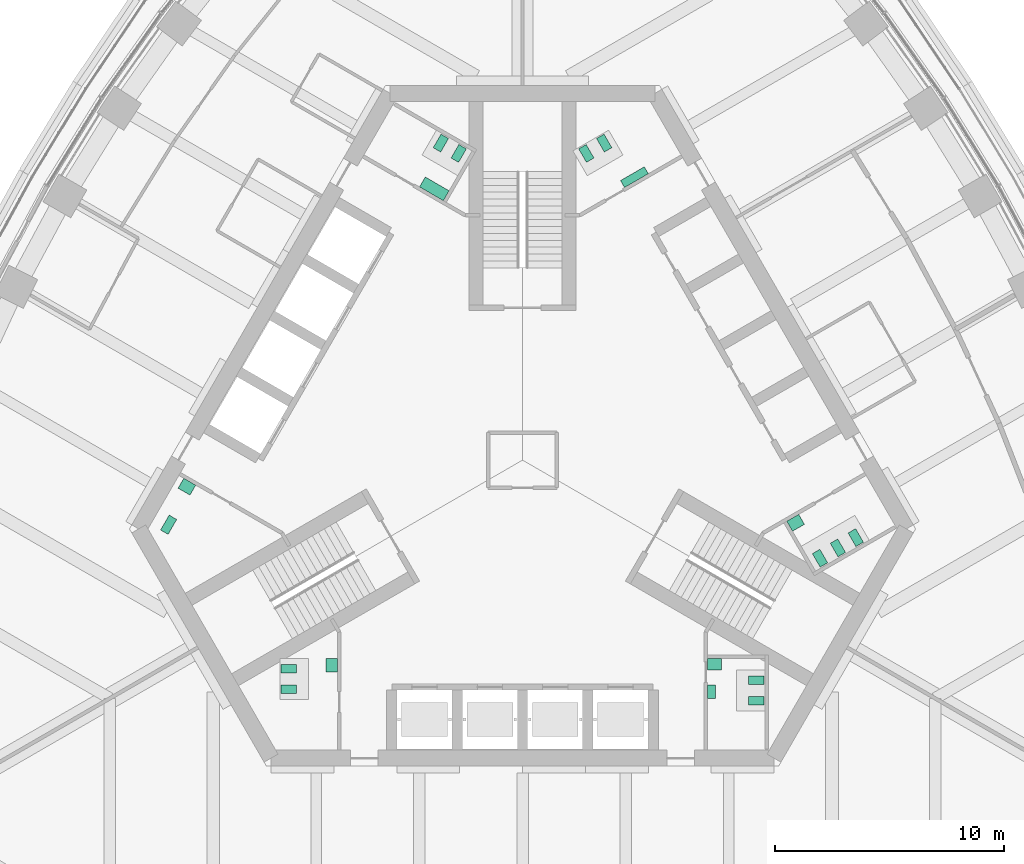
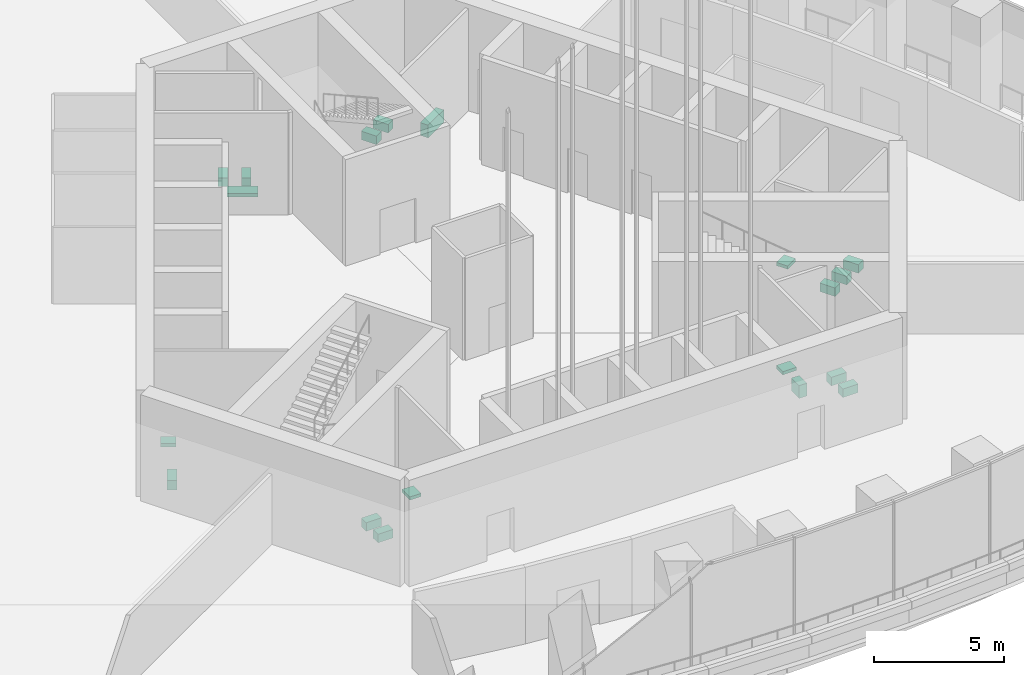
# One storey, part 17 of 26: 19 sanitary terminals.
"""IFC4 building model written with IfcOpenShell, lengths in metres."""

from ifc_helpers import new_model, si_unit, direction, frame, origin, place, context, subcontext, project, spatial, polyline, outline, extrude, material, type_object, element, save


model = new_model("IFC4")

# Units and contexts
model_context = context("Model", 3, precision=1e-05, world=origin(), true_north=direction((0.0, 1.0)))
body_context = subcontext(model_context, "Body", "Model", "MODEL_VIEW")
ifc_project = project(units=[si_unit("LENGTHUNIT", "METRE"), si_unit("AREAUNIT", "SQUARE_METRE"), si_unit("VOLUMEUNIT", "CUBIC_METRE"), si_unit("PLANEANGLEUNIT", "RADIAN"), si_unit("MASSUNIT", "GRAM", prefix="KILO")], contexts=[model_context])

# Site, building, storey
site_placement = place(None, origin())
site = spatial("IfcSite", under=ifc_project, at=site_placement, CompositionType="ELEMENT")
building_placement = place(site_placement, origin())
building = spatial("IfcBuilding", under=site, at=building_placement, Name="Trefoil Bronze Tower", CompositionType="ELEMENT")
storey_placement = place(building_placement, frame((0.0, 0.0, 271.300048828125)))
storey = spatial("IfcBuildingStorey", under=building, at=storey_placement, Name="L62", CompositionType="ELEMENT", Elevation=271.300048828125)

# Sanitary terminals
ifc_material_1 = material(Name="Vitreous china", Category="ceramic")
sanitary_terminal_type_1 = type_object("IfcSanitaryTerminalType", Name="Accessible WC pan", PredefinedType="TOILETPAN", material=ifc_material_1)
sanitary_terminal_1_placement = place(storey_placement, origin())
element("IfcSanitaryTerminal", 1, at=sanitary_terminal_1_placement, inside=storey, type_object=sanitary_terminal_type_1, Name="WC pan 1 Accessible WC L62", PredefinedType="TOILETPAN", context=body_context, shape_type="SweptSolid", body=[
    extrude(outline(polyline([(-15.085693359375, -2.589111328125), (-15.460693359375, -3.238525390625), (-15.789794921875, -3.048583984375), (-15.414794921875, -2.399169921875), (-15.085693359375, -2.589111328125)])), origin(), (0.0, 0.0, 1.0), 0.449951171875),
])
ifc_material_2 = material(Name="Vitreous china", Category="ceramic")
sanitary_terminal_type_2 = type_object("IfcSanitaryTerminalType", Name="Accessible basin", PredefinedType="WASHHANDBASIN", material=ifc_material_2)
sanitary_terminal_2_placement = place(storey_placement, frame((0.0, 0.0, 0.64990234375)))
element("IfcSanitaryTerminal", 2, at=sanitary_terminal_2_placement, inside=storey, type_object=sanitary_terminal_type_2, Name="Wash basin Accessible WC L62", PredefinedType="WASHHANDBASIN", context=body_context, shape_type="SweptSolid", body=[
    extrude(outline(polyline([(-14.256591796875, -1.09326171875), (-14.506591796875, -1.526123046875), (-15.026123046875, -1.22607421875), (-14.776123046875, -0.793212890625), (-14.256591796875, -1.09326171875)])), origin(), (0.0, 0.0, 1.0), 0.150146484375),
])
ifc_material_3 = material(Name="Vitreous china", Category="ceramic")
sanitary_terminal_type_3 = type_object("IfcSanitaryTerminalType", Name="Urinal range 1 urinals", PredefinedType="URINAL", material=ifc_material_3)
sanitary_terminal_3_placement = place(storey_placement, frame((0.0, 0.0, 0.39990234375)))
element("IfcSanitaryTerminal", 3, at=sanitary_terminal_3_placement, inside=storey, type_object=sanitary_terminal_type_3, Name="Urinal range WC (men) L62", PredefinedType="URINAL", context=body_context, shape_type="SweptSolid", body=[
    extrude(outline(polyline([(8.074951171875, -9.800048828125), (8.425048828125, -9.800048828125), (8.425048828125, -10.39990234375), (8.074951171875, -10.39990234375), (8.074951171875, -9.800048828125)])), origin(), (0.0, 0.0, 1.0), 0.60009765625),
])
ifc_material_4 = material(Name="Vitreous china", Category="ceramic")
sanitary_terminal_type_4 = type_object("IfcSanitaryTerminalType", Name="Urinal range 2 urinals", PredefinedType="URINAL", material=ifc_material_4)
sanitary_terminal_4_placement = place(storey_placement, frame((0.0, 0.0, 0.39990234375)))
element("IfcSanitaryTerminal", 4, at=sanitary_terminal_4_placement, inside=storey, type_object=sanitary_terminal_type_4, Name="Urinal range WC (men) L62", PredefinedType="URINAL", context=body_context, shape_type="SweptSolid", body=[
    extrude(outline(polyline([(4.449462890625, 11.89306640625), (4.274658203125, 12.1962890625), (5.313720703125, 12.796142578125), (5.48876953125, 12.4931640625), (4.449462890625, 11.89306640625)])), origin(), (0.0, 0.0, 1.0), 0.60009765625),
])
ifc_material_5 = material(Name="Solid surface vanity", Category="plastic")
sanitary_terminal_type_5 = type_object("IfcSanitaryTerminalType", Name="Vanity unit 1 basins", PredefinedType="WASHHANDBASIN", material=ifc_material_5)
sanitary_terminal_5_placement = place(storey_placement, frame((0.0, 0.0, 0.75)))
element("IfcSanitaryTerminal", 5, at=sanitary_terminal_5_placement, inside=storey, type_object=sanitary_terminal_type_5, Name="Vanity unit WC (men) L62", PredefinedType="WASHHANDBASIN", context=body_context, shape_type="SweptSolid", body=[
    extrude(outline(polyline([(8.074951171875, -8.64990234375), (8.675048828125, -8.64990234375), (8.675048828125, -9.14990234375), (8.074951171875, -9.14990234375), (8.074951171875, -8.64990234375)])), origin(), (0.0, 0.0, 1.0), 0.14990234375),
])
sanitary_terminal_6_placement = place(storey_placement, frame((0.0, 0.0, 0.75)))
element("IfcSanitaryTerminal", 6, at=sanitary_terminal_6_placement, inside=storey, type_object=sanitary_terminal_type_5, Name="Vanity unit WC (women) L62", PredefinedType="WASHHANDBASIN", context=body_context, shape_type="SweptSolid", body=[
    extrude(outline(polyline([(11.528564453125, -2.668212890625), (11.778564453125, -3.10107421875), (12.29833984375, -2.80126953125), (12.04833984375, -2.3681640625), (11.528564453125, -2.668212890625)])), origin(), (0.0, 0.0, 1.0), 0.14990234375),
])
sanitary_terminal_7_placement = place(storey_placement, frame((0.0, 0.0, 0.75)))
element("IfcSanitaryTerminal", 7, at=sanitary_terminal_7_placement, inside=storey, type_object=sanitary_terminal_type_5, Name="Vanity unit WC (women) L62", PredefinedType="WASHHANDBASIN", context=body_context, shape_type="SweptSolid", body=[
    extrude(outline(polyline([(-8.074951171875, -8.64990234375), (-8.574951171875, -8.64990234375), (-8.574951171875, -9.25), (-8.074951171875, -9.25), (-8.074951171875, -8.64990234375)])), origin(), (0.0, 0.0, 1.0), 0.14990234375),
])
ifc_material_6 = material(Name="Solid surface vanity", Category="plastic")
sanitary_terminal_type_6 = type_object("IfcSanitaryTerminalType", Name="Vanity unit 2 basins", PredefinedType="WASHHANDBASIN", material=ifc_material_6)
sanitary_terminal_8_placement = place(storey_placement, frame((0.0, 0.0, 0.75)))
element("IfcSanitaryTerminal", 8, at=sanitary_terminal_8_placement, inside=storey, type_object=sanitary_terminal_type_6, Name="Vanity unit WC (women) L62", PredefinedType="WASHHANDBASIN", context=body_context, shape_type="SweptSolid", body=[
    extrude(outline(polyline([(-3.45361328125, 11.318115234375), (-3.20361328125, 11.751220703125), (-4.242919921875, 12.35107421875), (-4.492919921875, 11.918212890625), (-3.45361328125, 11.318115234375)])), origin(), (0.0, 0.0, 1.0), 0.14990234375),
])
ifc_material_7 = material(Name="Vitreous china", Category="ceramic")
sanitary_terminal_type_7 = type_object("IfcSanitaryTerminalType", Name="WC pan", PredefinedType="TOILETPAN", material=ifc_material_7)
sanitary_terminal_9_placement = place(storey_placement, origin())
element("IfcSanitaryTerminal", 9, at=sanitary_terminal_9_placement, inside=storey, type_object=sanitary_terminal_type_7, Name="WC pan 1 WC (men) L62", PredefinedType="TOILETPAN", context=body_context, shape_type="SweptSolid", body=[
    extrude(outline(polyline([(9.85498046875, -9.409912109375), (10.534912109375, -9.409912109375), (10.534912109375, -9.7900390625), (9.85498046875, -9.7900390625), (9.85498046875, -9.409912109375)])), origin(), (0.0, 0.0, 1.0), 0.39990234375),
])
sanitary_terminal_10_placement = place(storey_placement, origin())
element("IfcSanitaryTerminal", 10, at=sanitary_terminal_10_placement, inside=storey, type_object=sanitary_terminal_type_7, Name="WC pan 2 WC (men) L62", PredefinedType="TOILETPAN", context=body_context, shape_type="SweptSolid", body=[
    extrude(outline(polyline([(9.85498046875, -10.31005859375), (10.534912109375, -10.31005859375), (10.534912109375, -10.68994140625), (9.85498046875, -10.68994140625), (9.85498046875, -10.31005859375)])), origin(), (0.0, 0.0, 1.0), 0.39990234375),
])
sanitary_terminal_11_placement = place(storey_placement, origin())
element("IfcSanitaryTerminal", 11, at=sanitary_terminal_11_placement, inside=storey, type_object=sanitary_terminal_type_7, Name="WC pan 1 WC (women) L62", PredefinedType="TOILETPAN", context=body_context, shape_type="SweptSolid", body=[
    extrude(outline(polyline([(12.643798828125, -4.07958984375), (12.98388671875, -4.66845703125), (13.31298828125, -4.478515625), (12.972900390625, -3.8896484375), (12.643798828125, -4.07958984375)])), origin(), (0.0, 0.0, 1.0), 0.39990234375),
])
sanitary_terminal_12_placement = place(storey_placement, origin())
element("IfcSanitaryTerminal", 12, at=sanitary_terminal_12_placement, inside=storey, type_object=sanitary_terminal_type_7, Name="WC pan 2 WC (women) L62", PredefinedType="TOILETPAN", context=body_context, shape_type="SweptSolid", body=[
    extrude(outline(polyline([(13.423095703125, -3.629638671875), (13.76318359375, -4.218505859375), (14.09228515625, -4.028564453125), (13.752197265625, -3.439697265625), (13.423095703125, -3.629638671875)])), origin(), (0.0, 0.0, 1.0), 0.39990234375),
])
sanitary_terminal_13_placement = place(storey_placement, origin())
element("IfcSanitaryTerminal", 13, at=sanitary_terminal_13_placement, inside=storey, type_object=sanitary_terminal_type_7, Name="WC pan 3 WC (women) L62", PredefinedType="TOILETPAN", context=body_context, shape_type="SweptSolid", body=[
    extrude(outline(polyline([(14.20263671875, -3.1796875), (14.542724609375, -3.7685546875), (14.871826171875, -3.57861328125), (14.53173828125, -2.98974609375), (14.20263671875, -3.1796875)])), origin(), (0.0, 0.0, 1.0), 0.39990234375),
])
sanitary_terminal_14_placement = place(storey_placement, origin())
element("IfcSanitaryTerminal", 14, at=sanitary_terminal_14_placement, inside=storey, type_object=sanitary_terminal_type_7, Name="WC pan 1 WC (men) L62", PredefinedType="TOILETPAN", context=body_context, shape_type="SweptSolid", body=[
    extrude(outline(polyline([(2.788818359375, 12.98974609375), (2.44873046875, 13.57861328125), (2.77783203125, 13.7685546875), (3.117919921875, 13.1796875), (2.788818359375, 12.98974609375)])), origin(), (0.0, 0.0, 1.0), 0.39990234375),
])
sanitary_terminal_15_placement = place(storey_placement, origin())
element("IfcSanitaryTerminal", 15, at=sanitary_terminal_15_placement, inside=storey, type_object=sanitary_terminal_type_7, Name="WC pan 2 WC (men) L62", PredefinedType="TOILETPAN", context=body_context, shape_type="SweptSolid", body=[
    extrude(outline(polyline([(3.568115234375, 13.439697265625), (3.228271484375, 14.028564453125), (3.557373046875, 14.218505859375), (3.897216796875, 13.629638671875), (3.568115234375, 13.439697265625)])), origin(), (0.0, 0.0, 1.0), 0.39990234375),
])
sanitary_terminal_16_placement = place(storey_placement, origin())
element("IfcSanitaryTerminal", 16, at=sanitary_terminal_16_placement, inside=storey, type_object=sanitary_terminal_type_7, Name="WC pan 1 WC (women) L62", PredefinedType="TOILETPAN", context=body_context, shape_type="SweptSolid", body=[
    extrude(outline(polyline([(-2.788818359375, 12.98974609375), (-2.44873046875, 13.57861328125), (-2.77783203125, 13.7685546875), (-3.117919921875, 13.1796875), (-2.788818359375, 12.98974609375)])), origin(), (0.0, 0.0, 1.0), 0.39990234375),
])
sanitary_terminal_17_placement = place(storey_placement, origin())
element("IfcSanitaryTerminal", 17, at=sanitary_terminal_17_placement, inside=storey, type_object=sanitary_terminal_type_7, Name="WC pan 2 WC (women) L62", PredefinedType="TOILETPAN", context=body_context, shape_type="SweptSolid", body=[
    extrude(outline(polyline([(-3.568115234375, 13.439697265625), (-3.228271484375, 14.028564453125), (-3.557373046875, 14.218505859375), (-3.897216796875, 13.629638671875), (-3.568115234375, 13.439697265625)])), origin(), (0.0, 0.0, 1.0), 0.39990234375),
])
sanitary_terminal_18_placement = place(storey_placement, origin())
element("IfcSanitaryTerminal", 18, at=sanitary_terminal_18_placement, inside=storey, type_object=sanitary_terminal_type_7, Name="WC pan 1 WC (women) L62", PredefinedType="TOILETPAN", context=body_context, shape_type="SweptSolid", body=[
    extrude(outline(polyline([(-9.85498046875, -8.909912109375), (-10.534912109375, -8.909912109375), (-10.534912109375, -9.2900390625), (-9.85498046875, -9.2900390625), (-9.85498046875, -8.909912109375)])), origin(), (0.0, 0.0, 1.0), 0.39990234375),
])
sanitary_terminal_19_placement = place(storey_placement, origin())
element("IfcSanitaryTerminal", 19, at=sanitary_terminal_19_placement, inside=storey, type_object=sanitary_terminal_type_7, Name="WC pan 2 WC (women) L62", PredefinedType="TOILETPAN", context=body_context, shape_type="SweptSolid", body=[
    extrude(outline(polyline([(-9.85498046875, -9.81005859375), (-10.534912109375, -9.81005859375), (-10.534912109375, -10.18994140625), (-9.85498046875, -10.18994140625), (-9.85498046875, -9.81005859375)])), origin(), (0.0, 0.0, 1.0), 0.39990234375),
])

save(model, "model.ifc")
